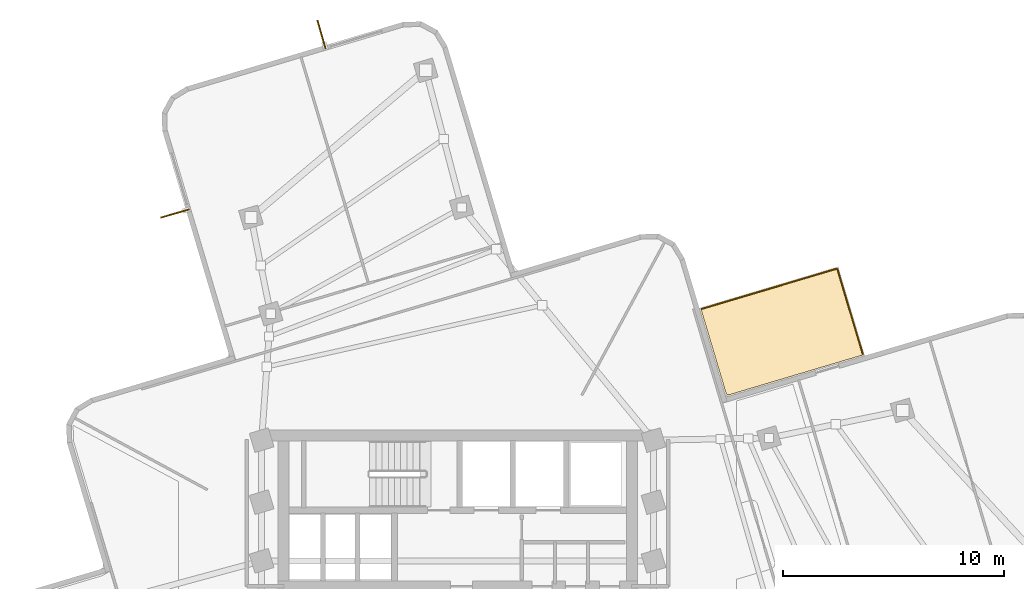
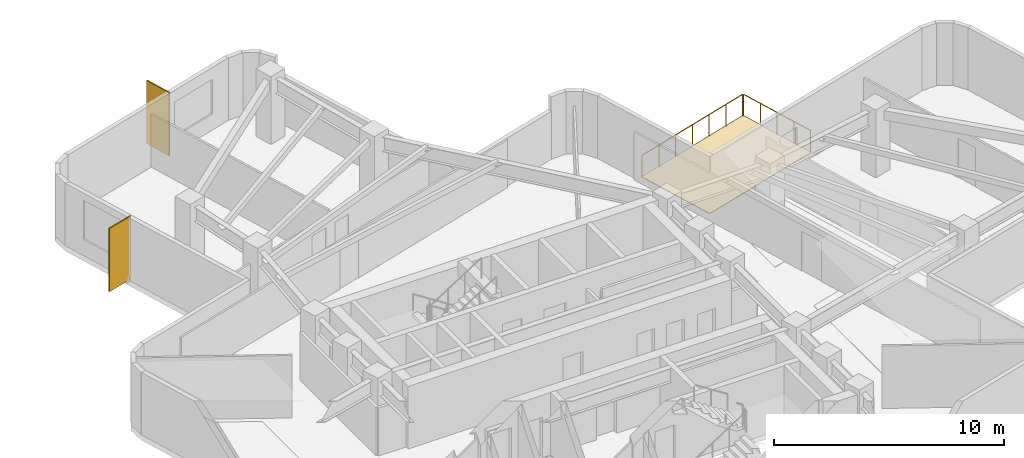
# One storey, part 8 of 8: 2 railings, 2 shading devices, 1 covering.
"""IFC4 building model written with IfcOpenShell, lengths in metres."""

from ifc_helpers import new_model, si_unit, direction, frame, origin, origin_2d, place, context, subcontext, project, spatial, polyline, rectangle, circle, outline, extrude, material, layer, layer_set, type_object, element, save


model = new_model("IFC4")

# Units and contexts
model_context = context("Model", 3, precision=1e-05, world=origin(), true_north=direction((0.0, 1.0)))
body_context = subcontext(model_context, "Body", "Model", "MODEL_VIEW")
ifc_project = project(units=[si_unit("LENGTHUNIT", "METRE"), si_unit("AREAUNIT", "SQUARE_METRE"), si_unit("VOLUMEUNIT", "CUBIC_METRE"), si_unit("PLANEANGLEUNIT", "RADIAN"), si_unit("MASSUNIT", "GRAM", prefix="KILO")], contexts=[model_context])

# Site, building, storey
site_placement = place(None, origin())
site = spatial("IfcSite", under=ifc_project, at=site_placement, CompositionType="ELEMENT")
building_placement = place(site_placement, origin())
building = spatial("IfcBuilding", under=site, at=building_placement, Name="Solmarez Civic Tower", CompositionType="ELEMENT")
storey_placement = place(building_placement, frame((0.0, 0.0, 145.080078125)))
storey = spatial("IfcBuildingStorey", under=building, at=storey_placement, Name="L38", CompositionType="ELEMENT", Elevation=145.080078125)

# Covering
ifc_material_1 = material(Name="Elastomeric Terrace Waterproofing Membrane")
ifc_layer_1 = layer(ifc_material_1, 0.030029296875)
ifc_layer_set_1 = layer_set([ifc_layer_1], Name="Elastomeric Terrace Waterproofing Membrane")
covering_type = type_object("IfcCoveringType", Name="COV-MEMBRANE-ROOF", PredefinedType="ROOFING", material=ifc_layer_set_1)
covering_placement = place(storey_placement, origin())
element("IfcCovering", 1, at=covering_placement, inside=storey, type_object=covering_type, Name="L38 Balcony Waterproofing NE", PredefinedType="ROOFING", context=body_context, shape_type="SweptSolid", body=[
    extrude(outline(polyline([(12.112060546875, 10.51806640625), (12.178955078125, 10.407958984375), (12.306884765625, 10.412109375), (18.31689453125, 12.202880859375), (17.152099609375, 16.111083984375), (10.991943359375, 14.27587890625), (12.112060546875, 10.51806640625)])), origin(), (0.0, 0.0, 1.0), 0.030029296875),
])

# Shading devices
ifc_material_2 = material(Name="Bronze Anodised Aluminium EN AW-6063 T6", Category="aluminium")
ifc_layer_2 = layer(ifc_material_2, 0.06005859375)
ifc_layer_set_2 = layer_set([ifc_layer_2], Name="Bronze Anodised Aluminium EN AW-6063 T6")
shading_device_type = type_object("IfcShadingDeviceType", Name="FIN-BRONZE-Z34", PredefinedType="USERDEFINED", material=ifc_layer_set_2)
for number, where, z_axis, x_axis, name in (
    (2, (-12.758056640625, 18.590087890625, -0.0400390625), (0.0, 0.0, 1.0), (-0.960904896629, -0.276878637015, 0.0), "L38 Anodised Bronze Solar Fin FIN-L38-03"),
    (3, (-6.14794921875, 26.669921875, -0.0400390625), (0.0, 0.0, 1.0), (-0.277012801949, 0.960866227711, 0.0), "L38 Anodised Bronze Solar Fin FIN-L38-04"),
):
    element("IfcShadingDevice", number, at=place(storey_placement, frame(where, z_axis=z_axis, x_axis=x_axis)), inside=storey, type_object=shading_device_type, Name=name, ObjectType="FIN", PredefinedType="USERDEFINED", context=body_context, shape_type="SweptSolid", body=[
        extrude(rectangle(XDim=1.35009765625, YDim=0.06005859375, at=origin_2d()), origin(), (0.0, 0.0, 1.0), 3.360107421875),
    ])

# Railings
ifc_material_3 = material(Name="Bronze Anodised Aluminium and Laminated Safety Glass Balustrade", Category="aluminium")
railing_type = type_object("IfcRailingType", Name="GUARD-TERR-1180", PredefinedType="BALUSTRADE", material=ifc_material_3)
railing_1_placement = place(storey_placement, frame((18.306884765625, 12.237060546875, 0.0)))
element("IfcRailing", 4, at=railing_1_placement, inside=storey, type_object=railing_type, Name="L38 Safety Balustrade GRD-BALC-L38-NE-1", PredefinedType="BALUSTRADE", context=body_context, shape_type="SweptSolid", body=[
    extrude(circle(Radius=0.02392578125, at=origin_2d()), frame((0.0, 0.0, 1.15576171875), z_axis=(-0.285704010917, 0.958317910793, 0.0), x_axis=(-0.958317910793, -0.285704010917, 0.0)), (0.0, 0.0, 1.0), 4.0068359375),
    extrude(circle(Radius=0.02099609375, at=origin_2d()), origin(), (0.0, 0.0, 1.0), 1.1318359375),
    extrude(circle(Radius=0.02099609375, at=origin_2d()), frame((-0.2861328125, 0.9599609375, 0.0)), (0.0, 0.0, 1.0), 1.1318359375),
    extrude(circle(Radius=0.02099609375, at=origin_2d()), frame((-0.572265625, 1.919921875, 0.0)), (0.0, 0.0, 1.0), 1.1318359375),
    extrude(circle(Radius=0.02099609375, at=origin_2d()), frame((-0.858642578125, 2.8798828125, 0.0)), (0.0, 0.0, 1.0), 1.1318359375),
    extrude(circle(Radius=0.02099609375, at=origin_2d()), frame((-1.144775390625, 3.83984375, 0.0)), (0.0, 0.0, 1.0), 1.1318359375),
])
railing_2_placement = place(storey_placement, frame((17.117919921875, 16.10107421875, 0.0)))
element("IfcRailing", 5, at=railing_2_placement, inside=storey, type_object=railing_type, Name="L38 Safety Balustrade GRD-BALC-L38-NE-2", PredefinedType="BALUSTRADE", context=body_context, shape_type="SweptSolid", body=[
    extrude(circle(Radius=0.02392578125, at=origin_2d()), frame((0.0, 0.0, 1.15576171875), z_axis=(-0.958362652411, -0.285553894148, 0.0), x_axis=(0.285553894148, -0.958362652411, 0.0)), (0.0, 0.0, 1.0), 6.356689453125),
    extrude(circle(Radius=0.02099609375, at=origin_2d()), origin(), (0.0, 0.0, 1.0), 1.1318359375),
    extrude(circle(Radius=0.02099609375, at=origin_2d()), frame((-1.015380859375, -0.302490234375, 0.0)), (0.0, 0.0, 1.0), 1.1318359375),
    extrude(circle(Radius=0.02099609375, at=origin_2d()), frame((-2.03076171875, -0.60498046875, 0.0)), (0.0, 0.0, 1.0), 1.1318359375),
    extrude(circle(Radius=0.02099609375, at=origin_2d()), frame((-3.0458984375, -0.90771484375, 0.0)), (0.0, 0.0, 1.0), 1.1318359375),
    extrude(circle(Radius=0.02099609375, at=origin_2d()), frame((-4.061279296875, -1.210205078125, 0.0)), (0.0, 0.0, 1.0), 1.1318359375),
    extrude(circle(Radius=0.02099609375, at=origin_2d()), frame((-5.07666015625, -1.5126953125, 0.0)), (0.0, 0.0, 1.0), 1.1318359375),
    extrude(circle(Radius=0.02099609375, at=origin_2d()), frame((-6.092041015625, -1.815185546875, 0.0)), (0.0, 0.0, 1.0), 1.1318359375),
])

save(model, "model.ifc")
